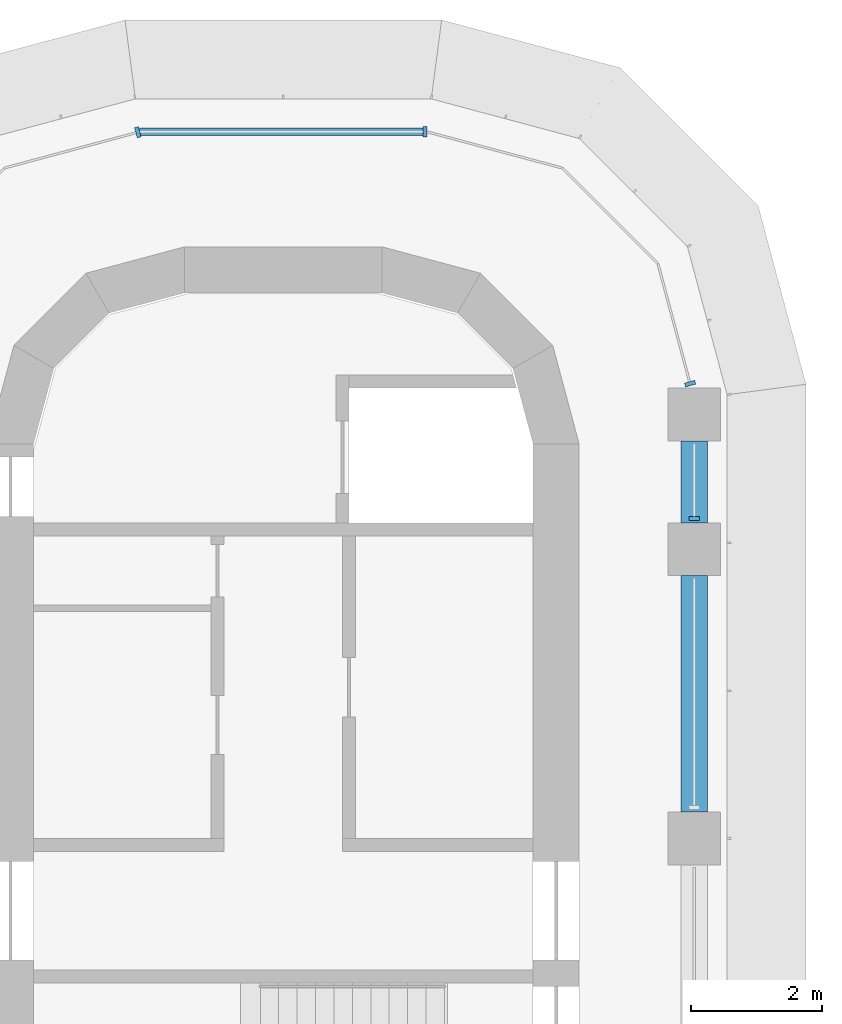
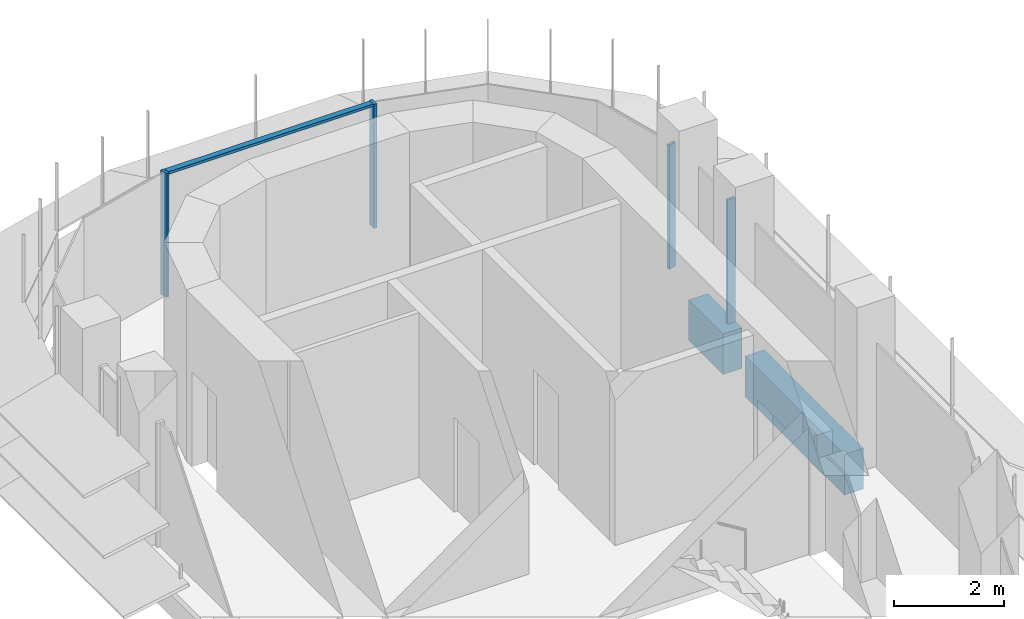
# One storey, part 9 of 19: 5 members, 2 beams, 4 elements without a shape of their own.
"""IFC4 building model written with IfcOpenShell, lengths in metres."""

from ifc_helpers import new_model, si_unit, direction, frame, origin, origin_2d, place, context, subcontext, project, spatial, polyline, rectangle, outline, extrude, source, transform, mapped, material, material_profile, profile_set, type_object, element, aggregate, save


model = new_model("IFC4")

# Units and contexts
model_context = context("Model", 3, precision=1e-05, world=origin(), true_north=direction((0.0, 1.0)))
body_context = subcontext(model_context, "Body", "Model", "MODEL_VIEW")
ifc_project = project(units=[si_unit("LENGTHUNIT", "METRE"), si_unit("AREAUNIT", "SQUARE_METRE"), si_unit("VOLUMEUNIT", "CUBIC_METRE"), si_unit("PLANEANGLEUNIT", "RADIAN"), si_unit("MASSUNIT", "GRAM", prefix="KILO")], contexts=[model_context])

# Site, building, storey
site_placement = place(None, origin())
site = spatial("IfcSite", under=ifc_project, at=site_placement, CompositionType="ELEMENT")
building_placement = place(site_placement, origin())
building = spatial("IfcBuilding", under=site, at=building_placement, Name="Zarbagh Exchange Tower", CompositionType="ELEMENT")
storey_placement = place(building_placement, frame((0.0, 0.0, 171.39990234375)))
storey = spatial("IfcBuildingStorey", under=building, at=storey_placement, Name="L41", CompositionType="ELEMENT", Elevation=171.39990234375)

# Beams
ifc_material_1 = material(Name="Concrete C50/60", Category="concrete")
ifc_material_profile = material_profile(ifc_material_1, rectangle(XDim=0.39990234375, YDim=0.89990234375, at=origin_2d()), Name="RC spandrel beam 400 x 900 C50/60")
ifc_profile_set = profile_set([ifc_material_profile], Name="Concrete C50/60")
beam_type = type_object("IfcBeamType", Name="RC spandrel beam 400 x 900 C50/60", PredefinedType="SPANDREL", material=ifc_profile_set)
beam_1_placement = place(storey_placement, frame((6.25, 26.300048828125, -0.599853515625), z_axis=(0.0, -1.0, 0.0), x_axis=(1.0, 0.0, 0.0)))
element("IfcBeam", 1, at=beam_1_placement, inside=storey, type_object=beam_type, Name="RC spandrel beam", PredefinedType="SPANDREL", context=body_context, shape_type="SweptSolid", body=[
    extrude(rectangle(XDim=0.39990234375, YDim=0.89990234375, at=origin_2d()), origin(), (0.0, 0.0, 1.0), 1.25),
])
beam_2_placement = place(storey_placement, frame((6.25, 24.25, -0.599853515625), z_axis=(0.0, -1.0, 0.0), x_axis=(1.0, 0.0, 0.0)))
element("IfcBeam", 2, at=beam_2_placement, inside=storey, type_object=beam_type, Name="RC spandrel beam", PredefinedType="SPANDREL", context=body_context, shape_type="SweptSolid", body=[
    extrude(rectangle(XDim=0.39990234375, YDim=0.89990234375, at=origin_2d()), origin(), (0.0, 0.0, 1.0), 3.60009765625),
])

# Curtain wall, member
ifc_material_2 = material(Name="Anodised aluminium frame and glazing", Category="aluminium")
curtain_wall_type = type_object("IfcCurtainWallType", Name="CWB Ribbon glazing, upper zones", PredefinedType="NOTDEFINED", material=ifc_material_2)
curtain_wall_1_placement = place(storey_placement, origin())
curtain_wall_1 = element("IfcCurtainWall", 3, at=curtain_wall_1_placement, inside=storey, type_object=curtain_wall_type, Name="CWB20 curtain wall", PredefinedType="NOTDEFINED")
ifc_material_3 = material(Name="Anodised aluminium frame", Category="aluminium")
member_type_1 = type_object("IfcMemberType", Name="MUB Mullion, anodised aluminium frame", PredefinedType="MULLION", material=ifc_material_3)
shared_shape_1 = source(origin(), body_context, "Body", "SweptSolid", [
    extrude(outline(polyline([(0.0, -0.080078125), (0.06005859375, -0.080078125), (0.06005859375, 0.080078125), (0.0, 0.080078125), (0.0, -0.080078125)])), origin(), (0.0, 0.0, 1.0), 2.75),
])
placement = place(storey_placement, origin())
member_1 = element("IfcMember", 4, at=placement, type_object=member_type_1, Name="CWB20 mullion 4.1", PredefinedType="MULLION", context=body_context, shape_type="MappedRepresentation", body=[
    mapped(shared_shape_1, transform((6.25, 25.090087890625, 0.0), x_axis=(0.0, 1.0, 0.0), y_axis=(-1.0, 0.0, 0.0), z_axis=(0.0, 0.0, 1.0))),
])
aggregate(curtain_wall_1, [member_1])

curtain_wall_2_placement = place(storey_placement, origin())
curtain_wall_2 = element("IfcCurtainWall", 5, at=curtain_wall_2_placement, inside=storey, type_object=curtain_wall_type, Name="CWB21 curtain wall", PredefinedType="NOTDEFINED")
member_2 = element("IfcMember", 6, at=placement, type_object=member_type_1, Name="CWB21 mullion 1.1", PredefinedType="MULLION", context=body_context, shape_type="MappedRepresentation", body=[
    mapped(shared_shape_1, transform((6.19482421875, 27.139892578125, 0.0), x_axis=(-0.258824779902, 0.965924289636, 0.0), y_axis=(-0.965924289636, -0.258824779902, 0.0), z_axis=(0.0, 0.0, 1.0))),
])
aggregate(curtain_wall_2, [member_2])

curtain_wall_3_placement = place(storey_placement, origin())
curtain_wall_3 = element("IfcCurtainWall", 7, at=curtain_wall_3_placement, inside=storey, type_object=curtain_wall_type, Name="CWB24 curtain wall", PredefinedType="NOTDEFINED")
member_3 = element("IfcMember", 8, at=placement, type_object=member_type_1, Name="CWB24 mullion 1.1", PredefinedType="MULLION", context=body_context, shape_type="MappedRepresentation", body=[
    mapped(shared_shape_1, transform((2.18408203125, 31.0, 0.0), x_axis=(-1.0, 0.0, 0.0), y_axis=(0.0, -1.0, 0.0), z_axis=(0.0, 0.0, 1.0))),
])

curtain_wall_4_placement = place(storey_placement, origin())
curtain_wall_4 = element("IfcCurtainWall", 9, at=curtain_wall_4_placement, inside=storey, type_object=curtain_wall_type, Name="CWB25 curtain wall", PredefinedType="NOTDEFINED")
member_4 = element("IfcMember", 10, at=placement, type_object=member_type_1, Name="CWB25 mullion 1.1", PredefinedType="MULLION", context=body_context, shape_type="MappedRepresentation", body=[
    mapped(shared_shape_1, transform((-2.18408203125, 31.0, 0.0), x_axis=(-0.965924289636, -0.258824779902, 0.0), y_axis=(0.258824779902, -0.965924289636, 0.0), z_axis=(0.0, 0.0, 1.0))),
])
aggregate(curtain_wall_4, [member_4])

# Member
member_type_2 = type_object("IfcMemberType", Name="TRB Transom, anodised aluminium frame", PredefinedType="USERDEFINED", material=ifc_material_3)
shared_shape_2 = source(origin(), body_context, "Body", "SweptSolid", [
    extrude(outline(polyline([(-0.06005859375, -0.06005859375), (0.0, -0.06005859375), (0.0, 0.06005859375), (-0.06005859375, 0.06005859375), (-0.06005859375, -0.06005859375)])), origin(), (0.0, 0.0, 1.0), 4.308349609375),
])
member_5 = element("IfcMember", 11, at=placement, type_object=member_type_2, Name="CWB24 transom 1.1", ObjectType="TRANSOM", PredefinedType="USERDEFINED", context=body_context, shape_type="MappedRepresentation", body=[
    mapped(shared_shape_2, transform((2.124267578125, 31.0, 2.75), x_axis=(0.0, 0.0, 1.0), y_axis=(0.0, 1.0, 0.0), z_axis=(-1.0, 0.0, 0.0))),
])

aggregate(curtain_wall_3, [member_3, member_5])

save(model, "model.ifc")
